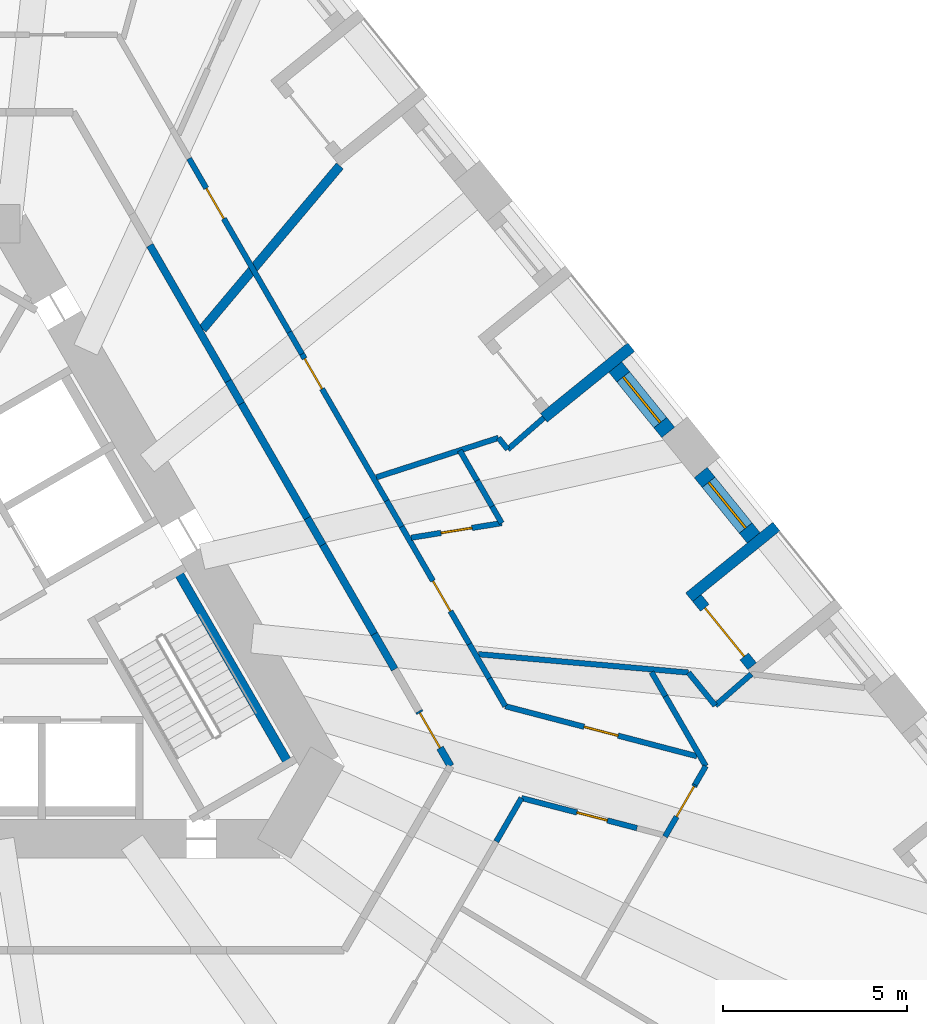
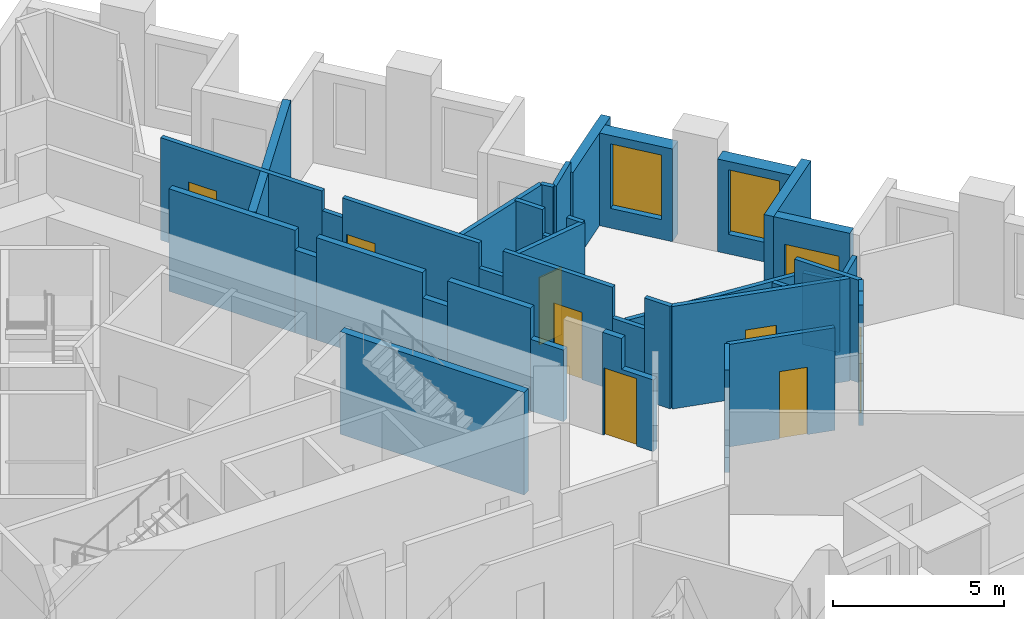
# One storey, part 7 of 14: 38 walls, 9 doors, 2 windows, 11 openings.
"""IFC4 building model written with IfcOpenShell, lengths in metres."""

from ifc_helpers import new_model, si_unit, direction, frame, frame_2d, origin, place, context, subcontext, project, spatial, polyline, rectangle, outline, extrude, material, layer, layer_set, type_object, element, fill, save


model = new_model("IFC4")

# Units and contexts
model_context = context("Model", 3, precision=1e-05, world=origin(), true_north=direction((0.0, 1.0)))
body_context = subcontext(model_context, "Body", "Model", "MODEL_VIEW")
ifc_project = project(units=[si_unit("LENGTHUNIT", "METRE"), si_unit("AREAUNIT", "SQUARE_METRE"), si_unit("VOLUMEUNIT", "CUBIC_METRE"), si_unit("PLANEANGLEUNIT", "RADIAN"), si_unit("MASSUNIT", "GRAM", prefix="KILO")], contexts=[model_context])

# Site, building, storey
site_placement = place(None, origin())
site = spatial("IfcSite", under=ifc_project, at=site_placement, CompositionType="ELEMENT")
building_placement = place(site_placement, origin())
building = spatial("IfcBuilding", under=site, at=building_placement, Name="Tramontana Tower", CompositionType="ELEMENT")
storey_placement = place(building_placement, frame((0.0, 0.0, 67.199951171875)))
storey = spatial("IfcBuildingStorey", under=building, at=storey_placement, Name="L14", CompositionType="ELEMENT", Elevation=67.199951171875)

# Walls
ifc_material_1 = material(Name="Blockwork", Category="masonry")
ifc_layer_1 = layer(ifc_material_1, 0.199951171875)
ifc_layer_set_1 = layer_set([ifc_layer_1], Name="ENTRY WALL 200")
wall_type_1 = type_object("IfcWallType", Name="ENTRY WALL 200", PredefinedType="SOLIDWALL", material=ifc_layer_set_1)
wall_1_placement = place(storey_placement, frame((4.97265625, 9.88720703125, 0.0), z_axis=(0.0, 0.0, 1.0), x_axis=(0.500000470374, -0.866025132214, 0.0)))
element("IfcWall", 1, at=wall_1_placement, inside=storey, type_object=wall_type_1, Name="Wall v11-ew0-2", PredefinedType="SOLIDWALL", context=body_context, shape_type="SweptSolid", body=[
    extrude(rectangle(XDim=4.2568359375, YDim=0.199951171875, at=frame_2d((2.12841796875, 0.0))), origin(), (0.0, 0.0, 1.0), 3.650146484375),
])
wall_2_placement = place(storey_placement, frame((7.10107421875, 6.20068359375, 0.0), z_axis=(0.0, 0.0, 1.0), x_axis=(0.499881507708, -0.866093804534, 0.0)))
element("IfcWall", 2, at=wall_2_placement, inside=storey, type_object=wall_type_1, Name="Wall v11-ew0-3", PredefinedType="SOLIDWALL", context=body_context, shape_type="SweptSolid", body=[
    extrude(rectangle(XDim=0.708740234375, YDim=0.199951171875, at=frame_2d((0.3544921875, 0.0))), origin(), (0.0, 0.0, 1.0), 2.949951171875),
])
wall_3_placement = place(storey_placement, frame((7.455322265625, 5.5869140625, 0.0), z_axis=(0.0, 0.0, 1.0), x_axis=(0.500013241293, -0.866017758786, 0.0)))
element("IfcWall", 3, at=wall_3_placement, inside=storey, type_object=wall_type_1, Name="Wall v11-ew0-4", PredefinedType="SOLIDWALL", context=body_context, shape_type="SweptSolid", body=[
    extrude(rectangle(XDim=3.58544921875, YDim=0.199951171875, at=frame_2d((1.792724609375, 0.0))), origin(), (0.0, 0.0, 1.0), 3.650146484375),
])
wall_4_placement = place(storey_placement, frame((9.248046875, 2.48193359375, 0.0), z_axis=(0.0, 0.0, 1.0), x_axis=(0.500117447933, -0.865957584569, 0.0)))
element("IfcWall", 4, at=wall_4_placement, inside=storey, type_object=wall_type_1, Name="Wall v11-ew0-5", PredefinedType="SOLIDWALL", context=body_context, shape_type="SweptSolid", body=[
    extrude(rectangle(XDim=0.838134765625, YDim=0.199951171875, at=frame_2d((0.4189453125, 0.0))), origin(), (0.0, 0.0, 1.0), 2.75),
])
wall_5_placement = place(storey_placement, frame((9.667236328125, 1.756103515625, 0.0), z_axis=(0.0, 0.0, 1.0), x_axis=(0.499964529649, -0.866045881633, 0.0)))
element("IfcWall", 5, at=wall_5_placement, inside=storey, type_object=wall_type_1, Name="Wall v11-ew0-6", PredefinedType="SOLIDWALL", context=body_context, shape_type="SweptSolid", body=[
    extrude(rectangle(XDim=2.793701171875, YDim=0.199951171875, at=frame_2d((1.39697265625, 0.0))), origin(), (0.0, 0.0, 1.0), 3.650146484375),
])
wall_6_placement = place(storey_placement, frame((11.06396484375, -0.663330078125, 0.0), z_axis=(0.0, 0.0, 1.0), x_axis=(0.499951133605, -0.866053614973, 0.0)))
element("IfcWall", 6, at=wall_6_placement, inside=storey, type_object=wall_type_1, Name="Wall v11-ew0-7", PredefinedType="SOLIDWALL", context=body_context, shape_type="SweptSolid", body=[
    extrude(rectangle(XDim=1.10888671875, YDim=0.199951171875, at=frame_2d((0.554443359375, 0.0))), origin(), (0.0, 0.0, 1.0), 2.550048828125),
])

# Wall, opening, door
wall_7_placement = place(storey_placement, frame((12.274658203125, -2.76025390625, 0.0), z_axis=(0.0, 0.0, 1.0), x_axis=(0.500000921525, -0.866024871741, 0.0)))
wall_7 = element("IfcWall", 7, at=wall_7_placement, inside=storey, type_object=wall_type_1, Name="Wall v11-ew0-9", PredefinedType="SOLIDWALL", context=body_context, shape_type="SweptSolid", body=[
    extrude(outline(polyline([(0.0, 0.0), (1.72021484375, 0.0), (1.72021484375, 2.550048828125), (0.64990234375, 2.550048828125), (0.64990234375, 3.650146484375), (0.0, 3.650146484375), (0.0, 0.0)])), frame((0.0, 0.10009765625, 0.0), z_axis=(0.0, -1.0, 0.0), x_axis=(1.0, 0.0, 0.0)), (0.0, 0.0, 1.0), 0.199951171875),
])
opening_1_placement = place(wall_7_placement, frame((0.050048828125, 0.0, 0.0)))
opening_1 = element("IfcOpeningElement", 8, at=opening_1_placement, cuts=wall_7, Name="Opening B1B-31", PredefinedType="OPENING", context=body_context, shape_type="SweptSolid", body=[
    extrude(rectangle(XDim=1.10009765625, YDim=2.39990234375, at=frame_2d((0.550048828125, 1.199951171875))), frame((0.0, 0.10986328125, 0.0), z_axis=(0.0, -1.0, 0.0), x_axis=(1.0, 0.0, 0.0)), (0.0, 0.0, 1.0), 0.219970703125),
])
ifc_material_2 = material(Name="Painted timber", Category="wood")
door_type_1 = type_object("IfcDoorType", Name="DOOR ENTRY 1100", OperationType="SINGLE_SWING_LEFT", PredefinedType="DOOR", material=ifc_material_2)
door_1_placement = place(opening_1_placement, origin())
door_1 = element("IfcDoor", 9, at=door_1_placement, inside=storey, type_object=door_type_1, Name="Door B1B-31", OperationType="SINGLE_SWING_LEFT", OverallHeight=2.39990234375, OverallWidth=1.10009765625, PredefinedType="DOOR", context=body_context, shape_type="SweptSolid", body=[
    extrude(rectangle(XDim=1.10009765625, YDim=2.39990234375, at=frame_2d((0.550048828125, 1.199951171875))), frame((0.0, 0.02490234375, 0.0), z_axis=(0.0, -1.0, 0.0), x_axis=(1.0, 0.0, 0.0)), (0.0, 0.0, 1.0), 0.050048828125),
])
fill(opening_1, door_1)

# Wall, opening, window
ifc_material_3 = material(Name="Precast concrete 60 MPa", Category="concrete")
ifc_layer_2 = layer(ifc_material_3, 0.449951171875)
ifc_layer_set_2 = layer_set([ifc_layer_2], Name="Precast concrete 60 MPa, 450 mm")
wall_type_2 = type_object("IfcWallType", Name="EW1 Stone-faced precast wall 450", PredefinedType="SOLIDWALL", material=ifc_layer_set_2)
wall_8_placement = place(storey_placement, frame((21.361572265625, 1.94482421875, 0.0), z_axis=(0.0, 0.0, 1.0), x_axis=(-0.629339730135, 0.777130300576, 0.0)))
wall_8 = element("IfcWall", 10, at=wall_8_placement, inside=storey, type_object=wall_type_2, Name="External wall L14 face 2 bay 2", PredefinedType="SOLIDWALL", context=body_context, shape_type="SweptSolid", body=[
    extrude(rectangle(XDim=2.282958984375, YDim=0.449951171875, at=frame_2d((1.1416015625, 0.0))), origin(), (0.0, 0.0, 1.0), 3.300048828125),
])
opening_2_placement = place(wall_8_placement, frame((0.341552734375, 0.0, 0.699951171875)))
opening_2 = element("IfcOpeningElement", 11, at=opening_2_placement, cuts=wall_8, Name="Opening M1", PredefinedType="OPENING", context=body_context, shape_type="SweptSolid", body=[
    extrude(rectangle(XDim=1.60009765625, YDim=2.300048828125, at=frame_2d((0.800048828125, 1.14990234375))), frame((0.0, 0.23486328125, 0.0), z_axis=(0.0, -1.0, 0.0), x_axis=(1.0, 0.0, 0.0)), (0.0, 0.0, 1.0), 0.469970703125),
])
ifc_material_4 = material(Name="Aluminum frame, double glazing unit", Category="aluminium")
window_type = type_object("IfcWindowType", Name="M1 Window 1.6 x 2.3", PartitioningType="SINGLE_PANEL", PredefinedType="WINDOW", material=ifc_material_4)
window_1_placement = place(opening_2_placement, origin())
window_1 = element("IfcWindow", 12, at=window_1_placement, inside=storey, type_object=window_type, Name="Window M1 L14 face 2 module 6", OverallHeight=2.300048828125, OverallWidth=1.60009765625, PartitioningType="SINGLE_PANEL", PredefinedType="WINDOW", context=body_context, shape_type="SweptSolid", body=[
    extrude(rectangle(XDim=1.60009765625, YDim=2.300048828125, at=frame_2d((0.800048828125, 1.14990234375))), frame((0.0, 0.030029296875, 0.0), z_axis=(0.0, -1.0, 0.0), x_axis=(1.0, 0.0, 0.0)), (0.0, 0.0, 1.0), 0.06005859375),
])
fill(opening_2, window_1)

wall_9_placement = place(storey_placement, frame((19.0439453125, 4.80712890625, 0.0), z_axis=(0.0, 0.0, 1.0), x_axis=(-0.629339730135, 0.777130300576, 0.0)))
wall_9 = element("IfcWall", 13, at=wall_9_placement, inside=storey, type_object=wall_type_2, Name="External wall L14 face 2 bay 3", PredefinedType="SOLIDWALL", context=body_context, shape_type="SweptSolid", body=[
    extrude(rectangle(XDim=2.282958984375, YDim=0.449951171875, at=frame_2d((1.1416015625, 0.0))), origin(), (0.0, 0.0, 1.0), 3.300048828125),
])
opening_3_placement = place(wall_9_placement, frame((0.341552734375, 0.0, 0.699951171875)))
opening_3 = element("IfcOpeningElement", 14, at=opening_3_placement, cuts=wall_9, Name="Opening M1", PredefinedType="OPENING", context=body_context, shape_type="SweptSolid", body=[
    extrude(rectangle(XDim=1.60009765625, YDim=2.300048828125, at=frame_2d((0.800048828125, 1.14990234375))), frame((0.0, 0.23486328125, 0.0), z_axis=(0.0, -1.0, 0.0), x_axis=(1.0, 0.0, 0.0)), (0.0, 0.0, 1.0), 0.469970703125),
])
window_2_placement = place(opening_3_placement, origin())
window_2 = element("IfcWindow", 15, at=window_2_placement, inside=storey, type_object=window_type, Name="Window M1 L14 face 2 module 7", OverallHeight=2.300048828125, OverallWidth=1.60009765625, PartitioningType="SINGLE_PANEL", PredefinedType="WINDOW", context=body_context, shape_type="SweptSolid", body=[
    extrude(rectangle(XDim=1.60009765625, YDim=2.300048828125, at=frame_2d((0.800048828125, 1.14990234375))), frame((0.0, 0.030029296875, 0.0), z_axis=(0.0, -1.0, 0.0), x_axis=(1.0, 0.0, 0.0)), (0.0, 0.0, 1.0), 0.06005859375),
])
fill(opening_3, window_2)

# Wall, opening, door
ifc_material_5 = material(Name="Precast concrete 60 MPa", Category="concrete")
ifc_layer_3 = layer(ifc_material_5, 0.300048828125)
ifc_layer_set_3 = layer_set([ifc_layer_3], Name="LW1 Stone-faced loggia wall 300")
wall_type_3 = type_object("IfcWallType", Name="LW1 Stone-faced loggia wall 300", PredefinedType="SOLIDWALL", material=ifc_layer_set_3)
wall_10_placement = place(storey_placement, frame((21.32080078125, -1.54052734375, 0.0), z_axis=(0.0, 0.0, 1.0), x_axis=(-0.629257171563, 0.777197151331, 0.0)))
wall_10 = element("IfcWall", 16, at=wall_10_placement, inside=storey, type_object=wall_type_3, Name="Loggia wall L14 G1S2.4", PredefinedType="SOLIDWALL", context=body_context, shape_type="SweptSolid", body=[
    extrude(rectangle(XDim=2.383056640625, YDim=0.300048828125, at=frame_2d((1.19140625, 0.0))), origin(), (0.0, 0.0, 1.0), 3.300048828125),
])
opening_4_placement = place(wall_10_placement, frame((0.341552734375, 0.0, 0.0)))
opening_4 = element("IfcOpeningElement", 17, at=opening_4_placement, cuts=wall_10, Name="Opening BD-1S2-04", PredefinedType="OPENING", context=body_context, shape_type="SweptSolid", body=[
    extrude(rectangle(XDim=1.699951171875, YDim=2.39990234375, at=frame_2d((0.85009765625, 1.199951171875))), frame((0.0, 0.159912109375, 0.0), z_axis=(0.0, -1.0, 0.0), x_axis=(1.0, 0.0, 0.0)), (0.0, 0.0, 1.0), 0.320068359375),
])
ifc_material_6 = material(Name="Aluminum frame, double glazing unit", Category="aluminium")
door_type_2 = type_object("IfcDoorType", Name="BD1 Sliding door 1.7 x 2.4", OperationType="SLIDING_TO_LEFT", PredefinedType="DOOR", material=ifc_material_6)
door_2_placement = place(opening_4_placement, origin())
door_2 = element("IfcDoor", 18, at=door_2_placement, inside=storey, type_object=door_type_2, Name="Loggia door L14 G1S2.4", OperationType="SLIDING_TO_LEFT", OverallHeight=2.39990234375, OverallWidth=1.699951171875, PredefinedType="DOOR", context=body_context, shape_type="SweptSolid", body=[
    extrude(rectangle(XDim=1.699951171875, YDim=2.39990234375, at=frame_2d((0.85009765625, 1.199951171875))), frame((0.0, 0.02490234375, 0.0), z_axis=(0.0, -1.0, 0.0), x_axis=(1.0, 0.0, 0.0)), (0.0, 0.0, 1.0), 0.050048828125),
])
fill(opening_4, door_2)

# Walls
wall_11_placement = place(storey_placement, frame((21.98046875, 2.2529296875, 0.0), z_axis=(0.0, 0.0, 1.0), x_axis=(-0.777121820661, -0.629350201281, 0.0)))
element("IfcWall", 19, at=wall_11_placement, inside=storey, type_object=wall_type_3, Name="Loggia return L14 G1S2.4b", PredefinedType="SOLIDWALL", context=body_context, shape_type="SweptSolid", body=[
    extrude(rectangle(XDim=3.0498046875, YDim=0.300048828125, at=frame_2d((1.52490234375, 0.0))), origin(), (0.0, 0.0, 1.0), 3.300048828125),
])
wall_12_placement = place(storey_placement, frame((18.037353515625, 7.12255859375, 0.0), z_axis=(0.0, 0.0, 1.0), x_axis=(-0.777153523895, -0.629311052102, 0.0)))
element("IfcWall", 20, at=wall_12_placement, inside=storey, type_object=wall_type_3, Name="Loggia return L14 G1S2.7a", PredefinedType="SOLIDWALL", context=body_context, shape_type="SweptSolid", body=[
    extrude(rectangle(XDim=3.050048828125, YDim=0.300048828125, at=frame_2d((1.52490234375, 0.0))), origin(), (0.0, 0.0, 1.0), 3.300048828125),
])

# Wall, opening, door
ifc_material_7 = material(Name="Gypsum board partition")
ifc_layer_4 = layer(ifc_material_7, 0.14990234375)
ifc_layer_set_4 = layer_set([ifc_layer_4], Name="PARTITION 150")
wall_type_4 = type_object("IfcWallType", Name="PARTITION 150", PredefinedType="PARTITIONING", material=ifc_layer_set_4)
wall_13_placement = place(storey_placement, frame((6.038330078125, 12.241455078125, 0.0), z_axis=(0.0, 0.0, 1.0), x_axis=(0.500003308737, -0.866023493476, 0.0)))
wall_13 = element("IfcWall", 21, at=wall_13_placement, inside=storey, type_object=wall_type_4, Name="Wall v11-pw35-2", PredefinedType="PARTITIONING", context=body_context, shape_type="SweptSolid", body=[
    extrude(rectangle(XDim=5.44287109375, YDim=0.14990234375, at=frame_2d((2.721435546875, 0.0))), origin(), (0.0, 0.0, 1.0), 3.650146484375),
])
opening_5_placement = place(wall_13_placement, frame((0.932861328125, 0.0, 0.0)))
opening_5 = element("IfcOpeningElement", 22, at=opening_5_placement, cuts=wall_13, Name="Opening B1B-05", PredefinedType="OPENING", context=body_context, shape_type="SweptSolid", body=[
    extrude(rectangle(XDim=0.949951171875, YDim=2.39990234375, at=frame_2d((0.47509765625, 1.199951171875))), frame((0.0, 0.0849609375, 0.0), z_axis=(0.0, -1.0, 0.0), x_axis=(1.0, 0.0, 0.0)), (0.0, 0.0, 1.0), 0.169921875),
])
ifc_material_8 = material(Name="Painted timber", Category="wood")
door_type_3 = type_object("IfcDoorType", Name="DOOR ROOM 950", OperationType="SINGLE_SWING_LEFT", PredefinedType="DOOR", material=ifc_material_8)
door_3_placement = place(opening_5_placement, origin())
door_3 = element("IfcDoor", 23, at=door_3_placement, inside=storey, type_object=door_type_3, Name="Door B1B-05", OperationType="SINGLE_SWING_LEFT", OverallHeight=2.39990234375, OverallWidth=0.949951171875, PredefinedType="DOOR", context=body_context, shape_type="SweptSolid", body=[
    extrude(rectangle(XDim=0.949951171875, YDim=2.39990234375, at=frame_2d((0.47509765625, 1.199951171875))), frame((0.0, 0.02490234375, 0.0), z_axis=(0.0, -1.0, 0.0), x_axis=(1.0, 0.0, 0.0)), (0.0, 0.0, 1.0), 0.050048828125),
])
fill(opening_5, door_3)

# Wall
wall_14_placement = place(storey_placement, frame((8.759765625, 7.52783203125, 0.0), z_axis=(0.0, 0.0, 1.0), x_axis=(0.499712146016, -0.866191532586, 0.0)))
element("IfcWall", 24, at=wall_14_placement, inside=storey, type_object=wall_type_4, Name="Wall v11-pw35-3", PredefinedType="PARTITIONING", context=body_context, shape_type="SweptSolid", body=[
    extrude(rectangle(XDim=0.68359375, YDim=0.14990234375, at=frame_2d((0.341796875, 0.0))), origin(), (0.0, 0.0, 1.0), 2.949951171875),
])

# Wall, opening, door
wall_15_placement = place(storey_placement, frame((9.101318359375, 6.935791015625, 0.0), z_axis=(0.0, 0.0, 1.0), x_axis=(0.500008794324, -0.866020326319, 0.0)))
wall_15 = element("IfcWall", 25, at=wall_15_placement, inside=storey, type_object=wall_type_4, Name="Wall v11-pw35-4", PredefinedType="PARTITIONING", context=body_context, shape_type="SweptSolid", body=[
    extrude(rectangle(XDim=4.6005859375, YDim=0.14990234375, at=frame_2d((2.30029296875, 0.0))), origin(), (0.0, 0.0, 1.0), 3.650146484375),
])
opening_6_placement = place(wall_15_placement, frame((0.14306640625, 0.0, 0.0)))
opening_6 = element("IfcOpeningElement", 26, at=opening_6_placement, cuts=wall_15, Name="Opening B1B-26", PredefinedType="OPENING", context=body_context, shape_type="SweptSolid", body=[
    extrude(rectangle(XDim=0.949951171875, YDim=2.39990234375, at=frame_2d((0.47509765625, 1.199951171875))), frame((0.0, 0.0849609375, 0.0), z_axis=(0.0, -1.0, 0.0), x_axis=(1.0, 0.0, 0.0)), (0.0, 0.0, 1.0), 0.169921875),
])
door_4_placement = place(opening_6_placement, origin())
door_4 = element("IfcDoor", 27, at=door_4_placement, inside=storey, type_object=door_type_3, Name="Door B1B-26", OperationType="SINGLE_SWING_RIGHT", OverallHeight=2.39990234375, OverallWidth=0.949951171875, PredefinedType="DOOR", context=body_context, shape_type="SweptSolid", body=[
    extrude(rectangle(XDim=0.949951171875, YDim=2.39990234375, at=frame_2d((0.47509765625, 1.199951171875))), frame((0.0, 0.02490234375, 0.0), z_axis=(0.0, -1.0, 0.0), x_axis=(1.0, 0.0, 0.0)), (0.0, 0.0, 1.0), 0.050048828125),
])
fill(opening_6, door_4)

# Wall
wall_16_placement = place(storey_placement, frame((11.401611328125, 2.95166015625, 0.0), z_axis=(0.0, 0.0, 1.0), x_axis=(0.500147393723, -0.865940289253, 0.0)))
element("IfcWall", 28, at=wall_16_placement, inside=storey, type_object=wall_type_4, Name="Wall v11-pw35-5", PredefinedType="PARTITIONING", context=body_context, shape_type="SweptSolid", body=[
    extrude(rectangle(XDim=0.812255859375, YDim=0.14990234375, at=frame_2d((0.40625, 0.0))), origin(), (0.0, 0.0, 1.0), 2.75),
])

# Wall, opening, door
wall_17_placement = place(storey_placement, frame((11.807861328125, 2.248291015625, 0.0), z_axis=(0.0, 0.0, 1.0), x_axis=(0.500002145574, -0.866024165033, 0.0)))
wall_17 = element("IfcWall", 29, at=wall_17_placement, inside=storey, type_object=wall_type_4, Name="Wall v11-pw35-6", PredefinedType="PARTITIONING", context=body_context, shape_type="SweptSolid", body=[
    extrude(rectangle(XDim=3.67724609375, YDim=0.14990234375, at=frame_2d((1.838623046875, 0.0))), origin(), (0.0, 0.0, 1.0), 3.650146484375),
])
opening_7_placement = place(wall_17_placement, frame((1.69970703125, 0.0, 0.0)))
opening_7 = element("IfcOpeningElement", 30, at=opening_7_placement, cuts=wall_17, Name="Opening B1B-25", PredefinedType="OPENING", context=body_context, shape_type="SweptSolid", body=[
    extrude(rectangle(XDim=0.949951171875, YDim=2.39990234375, at=frame_2d((0.47509765625, 1.199951171875))), frame((0.0, 0.0849609375, 0.0), z_axis=(0.0, -1.0, 0.0), x_axis=(1.0, 0.0, 0.0)), (0.0, 0.0, 1.0), 0.169921875),
])
door_5_placement = place(opening_7_placement, origin())
door_5 = element("IfcDoor", 31, at=door_5_placement, inside=storey, type_object=door_type_3, Name="Door B1B-25", OperationType="SINGLE_SWING_LEFT", OverallHeight=2.39990234375, OverallWidth=0.949951171875, PredefinedType="DOOR", context=body_context, shape_type="SweptSolid", body=[
    extrude(rectangle(XDim=0.949951171875, YDim=2.39990234375, at=frame_2d((0.47509765625, 1.199951171875))), frame((0.0, 0.02490234375, 0.0), z_axis=(0.0, -1.0, 0.0), x_axis=(1.0, 0.0, 0.0)), (0.0, 0.0, 1.0), 0.050048828125),
])
fill(opening_7, door_5)

# Walls
wall_18_placement = place(storey_placement, frame((13.646484375, -0.936279296875, 0.0), z_axis=(0.0, 0.0, 1.0), x_axis=(0.499938053331, -0.866061165757, 0.0)))
element("IfcWall", 32, at=wall_18_placement, inside=storey, type_object=wall_type_4, Name="Wall v11-pw35-7", PredefinedType="PARTITIONING", context=body_context, shape_type="SweptSolid", body=[
    extrude(rectangle(XDim=1.078369140625, YDim=0.14990234375, at=frame_2d((0.5390625, 0.0))), origin(), (0.0, 0.0, 1.0), 2.550048828125),
])
wall_19_placement = place(storey_placement, frame((14.185546875, -1.8701171875, 0.0), z_axis=(0.0, 0.0, 1.0), x_axis=(0.500053675867, -0.86599441179, 0.0)))
element("IfcWall", 33, at=wall_19_placement, inside=storey, type_object=wall_type_4, Name="Wall v11-pw35-8", PredefinedType="PARTITIONING", context=body_context, shape_type="SweptSolid", body=[
    extrude(rectangle(XDim=0.8720703125, YDim=0.14990234375, at=frame_2d((0.43603515625, 0.0))), origin(), (0.0, 0.0, 1.0), 3.650146484375),
])
wall_20_placement = place(storey_placement, frame((11.120361328125, 3.5888671875, 0.0), z_axis=(0.0, 0.0, 1.0), x_axis=(0.951681527344, 0.307086747536, 0.0)))
element("IfcWall", 34, at=wall_20_placement, inside=storey, type_object=wall_type_4, Name="Wall v11-pw42", PredefinedType="PARTITIONING", context=body_context, shape_type="SweptSolid", body=[
    extrude(rectangle(XDim=3.48291015625, YDim=0.14990234375, at=frame_2d((1.741455078125, 0.0))), origin(), (0.0, 0.0, 1.0), 3.650146484375),
])
wall_21_placement = place(storey_placement, frame((13.384765625, 4.31689453125, 0.0), z_axis=(0.0, 0.0, 1.0), x_axis=(0.499931951619, -0.866064687971, 0.0)))
element("IfcWall", 35, at=wall_21_placement, inside=storey, type_object=wall_type_4, Name="Wall v11-pw45-0", PredefinedType="PARTITIONING", context=body_context, shape_type="SweptSolid", body=[
    extrude(rectangle(XDim=0.941650390625, YDim=0.14990234375, at=frame_2d((0.470703125, 0.0))), origin(), (0.0, 0.0, 1.0), 3.650146484375),
])
wall_22_placement = place(storey_placement, frame((13.85546875, 3.50146484375, 0.0), z_axis=(0.0, 0.0, 1.0), x_axis=(0.500147393723, -0.865940289253, 0.0)))
element("IfcWall", 36, at=wall_22_placement, inside=storey, type_object=wall_type_4, Name="Wall v11-pw45-1", PredefinedType="PARTITIONING", context=body_context, shape_type="SweptSolid", body=[
    extrude(rectangle(XDim=0.812255859375, YDim=0.14990234375, at=frame_2d((0.40625, 0.0))), origin(), (0.0, 0.0, 1.0), 2.75),
])
wall_23_placement = place(storey_placement, frame((14.26171875, 2.798095703125, 0.0), z_axis=(0.0, 0.0, 1.0), x_axis=(0.499803250953, -0.866138967104, 0.0)))
element("IfcWall", 37, at=wall_23_placement, inside=storey, type_object=wall_type_4, Name="Wall v11-pw45-2", PredefinedType="PARTITIONING", context=body_context, shape_type="SweptSolid", body=[
    extrude(rectangle(XDim=0.523193359375, YDim=0.14990234375, at=frame_2d((0.26171875, 0.0))), origin(), (0.0, 0.0, 1.0), 3.650146484375),
])
wall_24_placement = place(storey_placement, frame((13.892822265625, -1.213134765625, 0.0), z_axis=(0.0, 0.0, 1.0), x_axis=(0.996208015501, -0.087003389883, 0.0)))
element("IfcWall", 38, at=wall_24_placement, inside=storey, type_object=wall_type_4, Name="Wall v11-pw46-0", PredefinedType="PARTITIONING", context=body_context, shape_type="SweptSolid", body=[
    extrude(rectangle(XDim=5.7216796875, YDim=0.14990234375, at=frame_2d((2.86083984375, 0.0))), origin(), (0.0, 0.0, 1.0), 2.550048828125),
])
wall_25_placement = place(storey_placement, frame((14.43505859375, 4.658447265625, 0.0), z_axis=(0.0, 0.0, 1.0), x_axis=(0.629443838756, -0.777045979239, 0.0)))
element("IfcWall", 39, at=wall_25_placement, inside=storey, type_object=wall_type_4, Name="Wall v11-pw47", PredefinedType="PARTITIONING", context=body_context, shape_type="SweptSolid", body=[
    extrude(rectangle(XDim=0.400390625, YDim=0.14990234375, at=frame_2d((0.2001953125, 0.0))), origin(), (0.0, 0.0, 1.0), 3.650146484375),
])

# Wall, opening, door
wall_26_placement = place(storey_placement, frame((12.067626953125, 1.948486328125, 0.0), z_axis=(0.0, 0.0, 1.0), x_axis=(0.987214229288, 0.159399076194, 0.0)))
wall_26 = element("IfcWall", 40, at=wall_26_placement, inside=storey, type_object=wall_type_4, Name="Wall v11-pw48", PredefinedType="PARTITIONING", context=body_context, shape_type="SweptSolid", body=[
    extrude(rectangle(XDim=2.4873046875, YDim=0.14990234375, at=frame_2d((1.24365234375, 0.0))), origin(), (0.0, 0.0, 1.0), 3.650146484375),
])
opening_8_placement = place(wall_26_placement, frame((0.81884765625, 0.0, 0.0)))
opening_8 = element("IfcOpeningElement", 41, at=opening_8_placement, cuts=wall_26, Name="Opening B1B-28", PredefinedType="OPENING", context=body_context, shape_type="SweptSolid", body=[
    extrude(rectangle(XDim=0.85009765625, YDim=2.39990234375, at=frame_2d((0.425048828125, 1.199951171875))), frame((0.0, 0.0849609375, 0.0), z_axis=(0.0, -1.0, 0.0), x_axis=(1.0, 0.0, 0.0)), (0.0, 0.0, 1.0), 0.169921875),
])
ifc_material_9 = material(Name="Painted timber", Category="wood")
door_type_4 = type_object("IfcDoorType", Name="DOOR BATH 850", OperationType="SINGLE_SWING_LEFT", PredefinedType="DOOR", material=ifc_material_9)
door_6_placement = place(opening_8_placement, origin())
door_6 = element("IfcDoor", 42, at=door_6_placement, inside=storey, type_object=door_type_4, Name="Door B1B-28", OperationType="SINGLE_SWING_RIGHT", OverallHeight=2.39990234375, OverallWidth=0.85009765625, PredefinedType="DOOR", context=body_context, shape_type="SweptSolid", body=[
    extrude(rectangle(XDim=0.85009765625, YDim=2.39990234375, at=frame_2d((0.425048828125, 1.199951171875))), frame((0.0, 0.02490234375, 0.0), z_axis=(0.0, -1.0, 0.0), x_axis=(1.0, 0.0, 0.0)), (0.0, 0.0, 1.0), 0.050048828125),
])
fill(opening_8, door_6)

wall_27_placement = place(storey_placement, frame((14.62158203125, -2.625244140625, 0.0), z_axis=(0.0, 0.0, 1.0), x_axis=(0.967617272397, -0.252421897147, 0.0)))
wall_27 = element("IfcWall", 43, at=wall_27_placement, inside=storey, type_object=wall_type_4, Name="Wall v11-pw49", PredefinedType="PARTITIONING", context=body_context, shape_type="SweptSolid", body=[
    extrude(rectangle(XDim=5.373779296875, YDim=0.14990234375, at=frame_2d((2.68701171875, 0.0))), origin(), (0.0, 0.0, 1.0), 3.650146484375),
])
opening_9_placement = place(wall_27_placement, frame((2.2119140625, 0.0, 0.0)))
opening_9 = element("IfcOpeningElement", 44, at=opening_9_placement, cuts=wall_27, Name="Opening B1B-20", PredefinedType="OPENING", context=body_context, shape_type="SweptSolid", body=[
    extrude(rectangle(XDim=0.949951171875, YDim=2.39990234375, at=frame_2d((0.47509765625, 1.199951171875))), frame((0.0, 0.0849609375, 0.0), z_axis=(0.0, -1.0, 0.0), x_axis=(1.0, 0.0, 0.0)), (0.0, 0.0, 1.0), 0.169921875),
])
door_7_placement = place(opening_9_placement, origin())
door_7 = element("IfcDoor", 45, at=door_7_placement, inside=storey, type_object=door_type_3, Name="Door B1B-20", OperationType="SINGLE_SWING_RIGHT", OverallHeight=2.39990234375, OverallWidth=0.949951171875, PredefinedType="DOOR", context=body_context, shape_type="SweptSolid", body=[
    extrude(rectangle(XDim=0.949951171875, YDim=2.39990234375, at=frame_2d((0.47509765625, 1.199951171875))), frame((0.0, 0.02490234375, 0.0), z_axis=(0.0, -1.0, 0.0), x_axis=(1.0, 0.0, 0.0)), (0.0, 0.0, 1.0), 0.050048828125),
])
fill(opening_9, door_7)

# Walls
wall_28_placement = place(storey_placement, frame((14.689697265625, 4.34716796875, 0.0), z_axis=(0.0, 0.0, 1.0), x_axis=(0.75226229256, 0.658863751615, 0.0)))
element("IfcWall", 46, at=wall_28_placement, inside=storey, type_object=wall_type_4, Name="Wall v11-pw50", PredefinedType="PARTITIONING", context=body_context, shape_type="SweptSolid", body=[
    extrude(rectangle(XDim=1.299072265625, YDim=0.14990234375, at=frame_2d((0.6494140625, 0.0))), origin(), (0.0, 0.0, 1.0), 3.650146484375),
])
wall_29_placement = place(storey_placement, frame((15.059326171875, -5.116455078125, 0.0), z_axis=(0.0, 0.0, 1.0), x_axis=(-0.500032730183, -0.86600650618, 0.0)))
element("IfcWall", 47, at=wall_29_placement, inside=storey, type_object=wall_type_4, Name="Wall v11-pw51-0", PredefinedType="PARTITIONING", context=body_context, shape_type="SweptSolid", body=[
    extrude(rectangle(XDim=1.3623046875, YDim=0.14990234375, at=frame_2d((0.68115234375, 0.0))), origin(), (0.0, 0.0, 1.0), 3.650146484375),
])
wall_30_placement = place(storey_placement, frame((18.58984375, -1.698486328125, 0.0), z_axis=(0.0, 0.0, 1.0), x_axis=(0.500105127418, -0.865964699933, 0.0)))
element("IfcWall", 48, at=wall_30_placement, inside=storey, type_object=wall_type_4, Name="Wall v11-pw52-0", PredefinedType="PARTITIONING", context=body_context, shape_type="SweptSolid", body=[
    extrude(rectangle(XDim=0.754638671875, YDim=0.14990234375, at=frame_2d((0.37744140625, 0.0))), origin(), (0.0, 0.0, 1.0), 2.550048828125),
])
wall_31_placement = place(storey_placement, frame((18.96728515625, -2.35205078125, 0.0), z_axis=(0.0, 0.0, 1.0), x_axis=(0.499973180286, -0.8660408876, 0.0)))
element("IfcWall", 49, at=wall_31_placement, inside=storey, type_object=wall_type_4, Name="Wall v11-pw52-1", PredefinedType="PARTITIONING", context=body_context, shape_type="SweptSolid", body=[
    extrude(rectangle(XDim=2.19140625, YDim=0.14990234375, at=frame_2d((1.095703125, 0.0))), origin(), (0.0, 0.0, 1.0), 3.650146484375),
])

# Wall, opening, door
wall_32_placement = place(storey_placement, frame((18.195068359375, -5.934326171875, 0.0), z_axis=(0.0, 0.0, 1.0), x_axis=(-0.96762847199, 0.252378961474, 0.0)))
wall_32 = element("IfcWall", 50, at=wall_32_placement, inside=storey, type_object=wall_type_4, Name="Wall v11-pw53-1", PredefinedType="PARTITIONING", context=body_context, shape_type="SweptSolid", body=[
    extrude(rectangle(XDim=3.24072265625, YDim=0.14990234375, at=frame_2d((1.620361328125, 0.0))), origin(), (0.0, 0.0, 1.0), 3.650146484375),
])
opening_10_placement = place(wall_32_placement, frame((0.832275390625, 0.0, 0.0)))
opening_10 = element("IfcOpeningElement", 51, at=opening_10_placement, cuts=wall_32, Name="Opening B1B-21", PredefinedType="OPENING", context=body_context, shape_type="SweptSolid", body=[
    extrude(rectangle(XDim=0.85009765625, YDim=2.39990234375, at=frame_2d((0.425048828125, 1.199951171875))), frame((0.0, 0.0849609375, 0.0), z_axis=(0.0, -1.0, 0.0), x_axis=(1.0, 0.0, 0.0)), (0.0, 0.0, 1.0), 0.169921875),
])
door_8_placement = place(opening_10_placement, origin())
door_8 = element("IfcDoor", 52, at=door_8_placement, inside=storey, type_object=door_type_4, Name="Door B1B-21", OperationType="SINGLE_SWING_LEFT", OverallHeight=2.39990234375, OverallWidth=0.85009765625, PredefinedType="DOOR", context=body_context, shape_type="SweptSolid", body=[
    extrude(rectangle(XDim=0.85009765625, YDim=2.39990234375, at=frame_2d((0.425048828125, 1.199951171875))), frame((0.0, 0.02490234375, 0.0), z_axis=(0.0, -1.0, 0.0), x_axis=(1.0, 0.0, 0.0)), (0.0, 0.0, 1.0), 0.050048828125),
])
fill(opening_10, door_8)

# Walls
wall_33_placement = place(storey_placement, frame((19.5927734375, -1.7109375, 0.0), z_axis=(0.0, 0.0, 1.0), x_axis=(0.629356548681, -0.777116680192, 0.0)))
element("IfcWall", 53, at=wall_33_placement, inside=storey, type_object=wall_type_4, Name="Wall v11-pw54-0", PredefinedType="PARTITIONING", context=body_context, shape_type="SweptSolid", body=[
    extrude(rectangle(XDim=1.1533203125, YDim=0.14990234375, at=frame_2d((0.57666015625, 0.0))), origin(), (0.0, 0.0, 1.0), 2.550048828125),
])
wall_34_placement = place(storey_placement, frame((20.06298828125, -4.25, 0.0), z_axis=(0.0, 0.0, 1.0), x_axis=(-0.500312357489, -0.865844988981, 0.0)))
element("IfcWall", 54, at=wall_34_placement, inside=storey, type_object=wall_type_4, Name="Wall v11-pw55-0", PredefinedType="PARTITIONING", context=body_context, shape_type="SweptSolid", body=[
    extrude(rectangle(XDim=0.585205078125, YDim=0.14990234375, at=frame_2d((0.29248046875, 0.0))), origin(), (0.0, 0.0, 1.0), 3.650146484375),
])

# Wall, opening, door
wall_35_placement = place(storey_placement, frame((19.770263671875, -4.756591796875, 0.0), z_axis=(0.0, 0.0, 1.0), x_axis=(-0.499952193351, -0.866053003207, 0.0)))
wall_35 = element("IfcWall", 55, at=wall_35_placement, inside=storey, type_object=wall_type_4, Name="Wall v11-pw55-1", PredefinedType="PARTITIONING", context=body_context, shape_type="SweptSolid", body=[
    extrude(outline(polyline([(0.0, 0.0), (1.625244140625, 0.0), (1.625, 2.550048828125), (0.72607421875, 2.550048828125), (0.72607421875, 3.650146484375), (0.0, 3.650146484375), (0.0, 0.0)])), frame((0.0, 0.074951171875, 0.0), z_axis=(0.0, -1.0, 0.0), x_axis=(1.0, 0.0, 0.0)), (0.0, 0.0, 1.0), 0.14990234375),
])
opening_11_placement = place(wall_35_placement, frame((0.050048828125, 0.0, 0.0)))
opening_11 = element("IfcOpeningElement", 56, at=opening_11_placement, cuts=wall_35, Name="Opening B1B-22", PredefinedType="OPENING", context=body_context, shape_type="SweptSolid", body=[
    extrude(rectangle(XDim=0.949951171875, YDim=2.39990234375, at=frame_2d((0.47509765625, 1.199951171875))), frame((0.0, 0.0849609375, 0.0), z_axis=(0.0, -1.0, 0.0), x_axis=(1.0, 0.0, 0.0)), (0.0, 0.0, 1.0), 0.169921875),
])
door_9_placement = place(opening_11_placement, origin())
door_9 = element("IfcDoor", 57, at=door_9_placement, inside=storey, type_object=door_type_3, Name="Door B1B-22", OperationType="SINGLE_SWING_RIGHT", OverallHeight=2.39990234375, OverallWidth=0.949951171875, PredefinedType="DOOR", context=body_context, shape_type="SweptSolid", body=[
    extrude(rectangle(XDim=0.949951171875, YDim=2.39990234375, at=frame_2d((0.47509765625, 1.199951171875))), frame((0.0, 0.02490234375, 0.0), z_axis=(0.0, -1.0, 0.0), x_axis=(1.0, 0.0, 0.0)), (0.0, 0.0, 1.0), 0.050048828125),
])
fill(opening_11, door_9)

# Walls
wall_36_placement = place(storey_placement, frame((20.321533203125, -2.607421875, 0.0), z_axis=(0.0, 0.0, 1.0), x_axis=(0.75226229256, 0.658863751615, 0.0)))
element("IfcWall", 58, at=wall_36_placement, inside=storey, type_object=wall_type_4, Name="Wall v11-pw56-0", PredefinedType="PARTITIONING", context=body_context, shape_type="SweptSolid", body=[
    extrude(rectangle(XDim=1.299072265625, YDim=0.14990234375, at=frame_2d((0.6494140625, 0.0))), origin(), (0.0, 0.0, 1.0), 2.550048828125),
])
ifc_material_10 = material(Name="Blockwork", Category="masonry")
ifc_layer_5 = layer(ifc_material_10, 0.25)
ifc_layer_set_5 = layer_set([ifc_layer_5], Name="PARTY WALL 250")
wall_type_5 = type_object("IfcWallType", Name="PARTY WALL 250", PredefinedType="SOLIDWALL", material=ifc_layer_set_5)
wall_37_placement = place(storey_placement, frame((10.129638671875, 12.041259765625, 0.0), z_axis=(0.0, 0.0, 1.0), x_axis=(-0.643752614762, -0.76523367084, 0.0)))
element("IfcWall", 59, at=wall_37_placement, inside=storey, type_object=wall_type_5, Name="Wall v11-pw41", PredefinedType="SOLIDWALL", context=body_context, shape_type="SweptSolid", body=[
    extrude(rectangle(XDim=5.7900390625, YDim=0.25, at=frame_2d((2.89501953125, 0.0))), origin(), (0.0, 0.0, 1.0), 3.650146484375),
])
ifc_material_11 = material(Name="Concrete 70 MPa", Category="concrete")
ifc_layer_6 = layer(ifc_material_11, 0.25)
ifc_layer_set_6 = layer_set([ifc_layer_6], Name="Concrete 70 MPa, 250 mm")
wall_type_6 = type_object("IfcWallType", Name="RC SHAFT BACK WALL 250", PredefinedType="SOLIDWALL", material=ifc_layer_set_6)
wall_38_placement = place(storey_placement, frame((8.781494140625, -4.260009765625, 0.0), z_axis=(0.0, 0.0, 1.0), x_axis=(-0.500009909098, 0.866019682689, 0.0)))
element("IfcWall", 60, at=wall_38_placement, inside=storey, type_object=wall_type_6, Name="Wall st3-back", PredefinedType="SOLIDWALL", context=body_context, shape_type="SweptSolid", body=[
    extrude(rectangle(XDim=6.199951171875, YDim=0.25, at=frame_2d((3.10009765625, 0.0))), origin(), (0.0, 0.0, 1.0), 3.650146484375),
])

save(model, "model.ifc")
